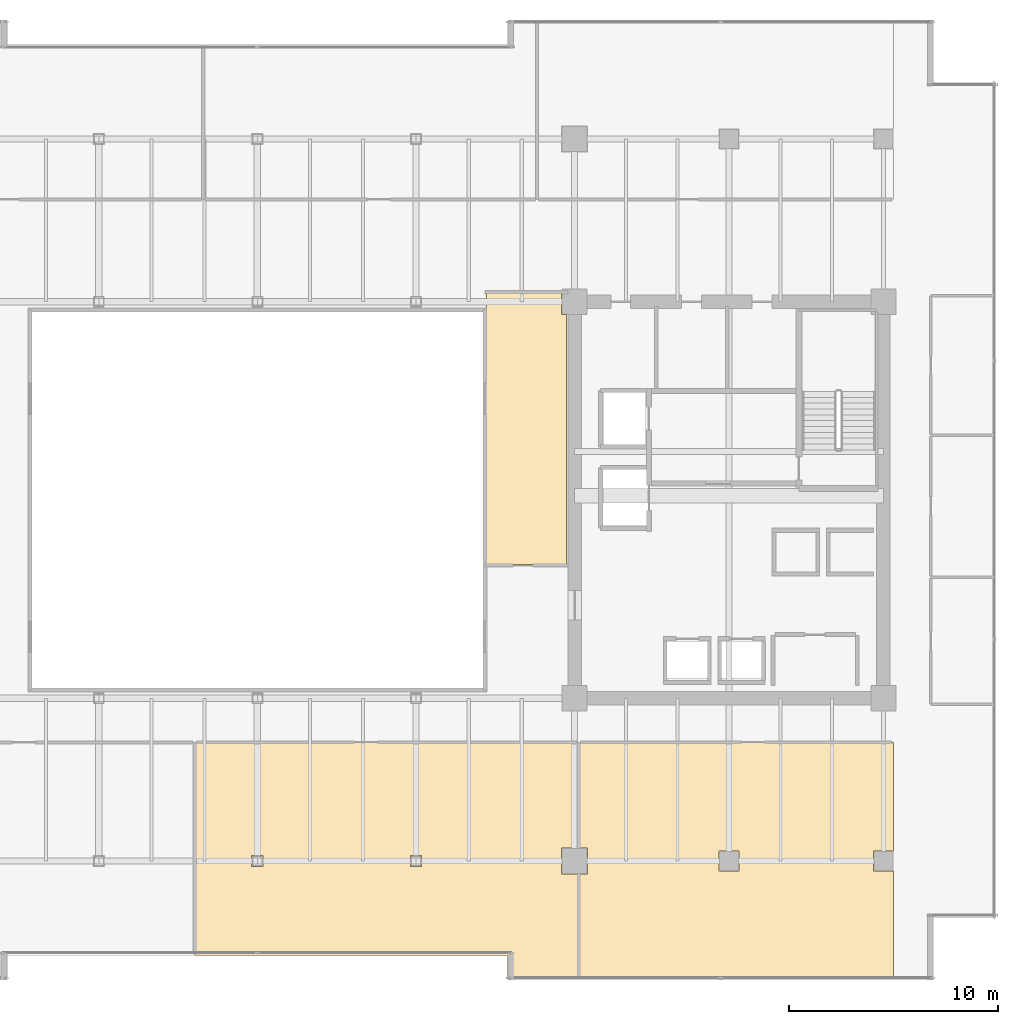
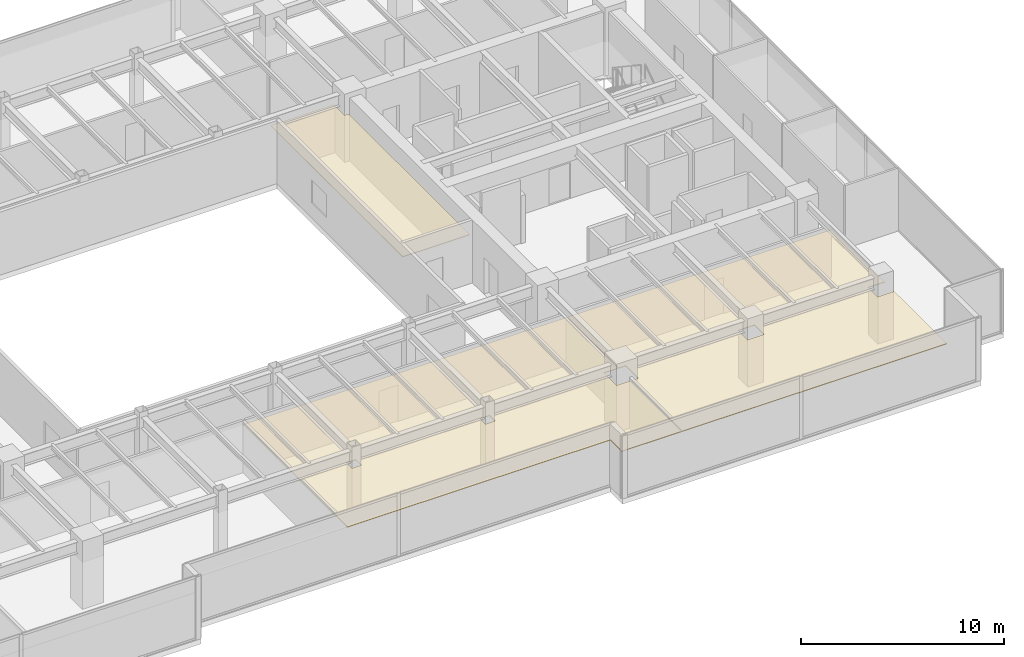
# One storey, part 31 of 33: 3 coverings.
"""IFC4 building model written with IfcOpenShell, lengths in metres."""

from ifc_helpers import new_model, si_unit, direction, frame, origin, place, context, subcontext, project, spatial, polyline, outline, extrude, material, layer, layer_set, type_object, element, save


model = new_model("IFC4")

# Units and contexts
model_context = context("Model", 3, precision=1e-05, world=origin(), true_north=direction((0.0, 1.0)))
body_context = subcontext(model_context, "Body", "Model", "MODEL_VIEW")
ifc_project = project(units=[si_unit("LENGTHUNIT", "METRE"), si_unit("AREAUNIT", "SQUARE_METRE"), si_unit("VOLUMEUNIT", "CUBIC_METRE"), si_unit("PLANEANGLEUNIT", "RADIAN"), si_unit("MASSUNIT", "GRAM", prefix="KILO")], contexts=[model_context])

# Site, building, storey
site_placement = place(None, origin())
site = spatial("IfcSite", under=ifc_project, at=site_placement, CompositionType="ELEMENT")
building_placement = place(site_placement, origin())
building = spatial("IfcBuilding", under=site, at=building_placement, Name="Haelvirn Gate Laboratories", CompositionType="ELEMENT")
storey_placement = place(building_placement, frame((0.0, 0.0, 117.39990234375)))
storey = spatial("IfcBuildingStorey", under=building, at=storey_placement, Name="L28", CompositionType="ELEMENT", Elevation=117.39990234375)

# Coverings
ifc_material = material(Name="Micro-perforated acoustic mineral-fibre laboratory ceiling")
ifc_layer = layer(ifc_material, 0.0400390625, Name="COV-CEIL-ACT")
ifc_layer_set = layer_set([ifc_layer], Name="Micro-perforated acoustic mineral-fibre laboratory ceiling")
covering_type = type_object("IfcCoveringType", Name="COV-CEIL-ACT", PredefinedType="CEILING", material=ifc_layer_set)
covering_1_placement = place(storey_placement, frame((0.0, 0.0, 2.820068359375)))
element("IfcCovering", 1, at=covering_1_placement, inside=storey, type_object=covering_type, Name="L28 Laboratory Acoustic Ceiling CEIL-SP-L28-ATRIUM-SEM", PredefinedType="CEILING", context=body_context, shape_type="SweptSolid", body=[
    extrude(outline(polyline([(52.2099609375, 21.219970703125), (48.389892578125, 21.219970703125), (48.389892578125, 34.239990234375), (51.97998046875, 34.239990234375), (51.97998046875, 33.179931640625), (52.2099609375, 33.179931640625), (52.2099609375, 21.219970703125)])), origin(), (0.0, 0.0, 1.0), 0.0400390625),
])
covering_2_placement = place(storey_placement, frame((0.0, 0.0, 2.820068359375)))
element("IfcCovering", 2, at=covering_2_placement, inside=storey, type_object=covering_type, Name="L28 Laboratory Acoustic Ceiling CEIL-SP-L28-S-03", PredefinedType="CEILING", context=body_context, shape_type="SweptSolid", body=[
    extrude(outline(polyline([(52.780029296875, 12.679931640625), (52.780029296875, 7.6201171875), (51.97998046875, 7.6201171875), (51.97998046875, 6.3798828125), (52.780029296875, 6.3798828125), (52.780029296875, 1.35009765625), (49.3798828125, 1.35009765625), (49.3798828125, 2.47998046875), (34.419921875, 2.47998046875), (34.419921875, 12.679931640625), (52.780029296875, 12.679931640625)]), holes=[polyline([(37.1298828125, 7.27001953125), (37.1298828125, 6.72998046875), (37.669921875, 6.72998046875), (37.669921875, 7.27001953125), (37.1298828125, 7.27001953125)]), polyline([(45.27001953125, 7.27001953125), (44.72998046875, 7.27001953125), (44.72998046875, 6.72998046875), (45.27001953125, 6.72998046875), (45.27001953125, 7.27001953125)])]), origin(), (0.0, 0.0, 1.0), 0.0400390625),
])
covering_3_placement = place(storey_placement, frame((0.0, 0.0, 2.820068359375)))
element("IfcCovering", 3, at=covering_3_placement, inside=storey, type_object=covering_type, Name="L28 Laboratory Acoustic Ceiling CEIL-SP-L28-S-04", PredefinedType="CEILING", context=body_context, shape_type="SweptSolid", body=[
    extrude(outline(polyline([(67.8798828125, 7.409912109375), (67.8701171875, 7.409912109375), (67.8701171875, 7.469970703125), (66.929931640625, 7.469970703125), (66.929931640625, 6.530029296875), (67.8701171875, 6.530029296875), (67.8701171875, 6.590087890625), (67.8798828125, 6.590087890625), (67.8798828125, 1.35009765625), (52.820068359375, 1.35009765625), (52.820068359375, 6.3798828125), (53.219970703125, 6.3798828125), (53.219970703125, 7.6201171875), (52.820068359375, 7.6201171875), (52.820068359375, 12.679931640625), (67.8798828125, 12.679931640625), (67.8798828125, 7.409912109375)]), holes=[polyline([(59.530029296875, 7.469970703125), (59.530029296875, 6.530029296875), (60.469970703125, 6.530029296875), (60.469970703125, 7.469970703125), (59.530029296875, 7.469970703125)])]), origin(), (0.0, 0.0, 1.0), 0.0400390625),
])

save(model, "model.ifc")
